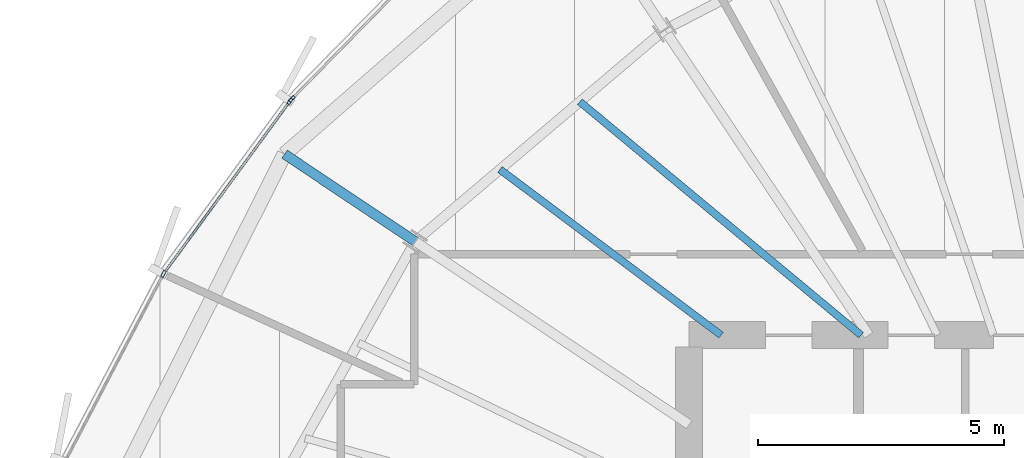
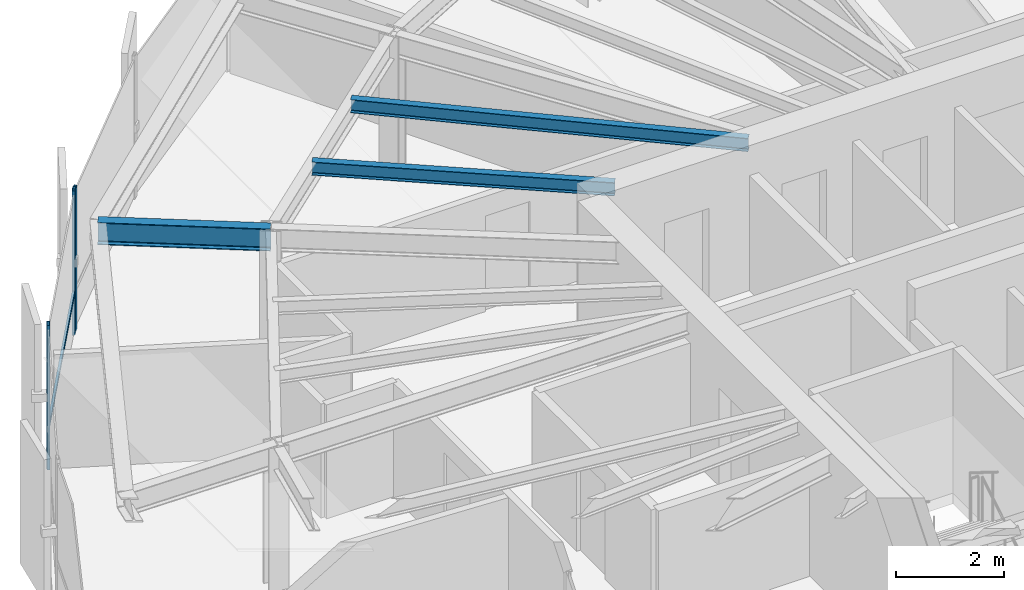
# One storey, part 21 of 37: 4 members, 3 beams, 2 elements without a shape of their own.
"""IFC4 building model written with IfcOpenShell, lengths in metres."""

from ifc_helpers import new_model, si_unit, direction, frame, origin, origin_2d, place, context, subcontext, project, spatial, hollow_rectangle, i_section, extrude, source, transform, mapped, material, layer, layer_set, material_profile, profile_set, type_object, element, aggregate, save


model = new_model("IFC4")

# Units and contexts
model_context = context("Model", 3, precision=1e-05, world=origin(), true_north=direction((0.0, 1.0)))
body_context = subcontext(model_context, "Body", "Model", "MODEL_VIEW")
ifc_project = project(units=[si_unit("LENGTHUNIT", "METRE"), si_unit("AREAUNIT", "SQUARE_METRE"), si_unit("VOLUMEUNIT", "CUBIC_METRE"), si_unit("PLANEANGLEUNIT", "RADIAN"), si_unit("MASSUNIT", "GRAM", prefix="KILO"), si_unit("THERMODYNAMICTEMPERATUREUNIT", "KELVIN")], contexts=[model_context])

# Site, building, storey
site_placement = place(None, origin())
site = spatial("IfcSite", under=ifc_project, at=site_placement, CompositionType="ELEMENT")
building_placement = place(site_placement, origin())
building = spatial("IfcBuilding", under=site, at=building_placement, Name="Kethvar Cultural Tower", CompositionType="ELEMENT")
storey_placement = place(building_placement, frame((0.0, 0.0, 200.89990234375)))
storey = spatial("IfcBuildingStorey", under=building, at=storey_placement, Name="L52", CompositionType="ELEMENT", Elevation=200.89990234375)

# Beams
ifc_material_1 = material(Name="Steel S355J2", Category="steel")
ifc_material_profile_1 = material_profile(ifc_material_1, i_section(OverallWidth=0.199951171875, OverallDepth=0.5, WebThickness=0.01025390625, FlangeThickness=0.01611328125, FilletRadius=0.02099609375, at=origin_2d()), Name="Steel S355J2 — IPE500")
ifc_profile_set_1 = profile_set([ifc_material_profile_1], Name="Steel S355J2 — IPE500")
beam_type_1 = type_object("IfcBeamType", Name="BM-IPE500", PredefinedType="BEAM", material=ifc_profile_set_1)
shared_shape_1 = source(origin(), body_context, "Body", "SweptSolid", [
    extrude(i_section(OverallWidth=0.199951171875, OverallDepth=0.5, WebThickness=0.01025390625, FlangeThickness=0.01611328125, FilletRadius=0.02099609375, at=origin_2d()), origin(), (0.0, 0.0, 1.0), 3.199951171875),
])
beam_1_placement = place(storey_placement, frame((32.418212890625, 37.409423828125, 3.008056640625), z_axis=(-0.831462943996, 0.555580212716, 0.0), x_axis=(-0.555580212716, -0.831462943996, 0.0)))
element("IfcBeam", 1, at=beam_1_placement, inside=storey, type_object=beam_type_1, Name="L52 Perimeter Cantilever Beam RC-07", PredefinedType="BEAM", context=body_context, shape_type="MappedRepresentation", body=[
    mapped(shared_shape_1, transform((0.0, 0.0, 0.0), scale=1.0)),
])
ifc_material_profile_2 = material_profile(ifc_material_1, i_section(OverallWidth=0.14990234375, OverallDepth=0.300048828125, WebThickness=0.007080078125, FlangeThickness=0.0107421875, FilletRadius=0.014892578125, at=origin_2d()), Name="Steel S355J2 — IPE300")
ifc_profile_set_2 = profile_set([ifc_material_profile_2], Name="Steel S355J2 — IPE300")
beam_type_2 = type_object("IfcBeamType", Name="BM-J300", PredefinedType="JOIST", material=ifc_profile_set_2)
shared_shape_2 = source(origin(), body_context, "Body", "SweptSolid", [
    extrude(i_section(OverallWidth=0.14990234375, OverallDepth=0.300048828125, WebThickness=0.007080078125, FlangeThickness=0.0107421875, FilletRadius=0.014892578125, at=origin_2d()), origin(), (0.0, 0.0, 1.0), 7.444580078125),
])
beam_2_placement = place(storey_placement, frame((41.5, 35.5, 3.108154296875), z_axis=(-0.769483166858, 0.638667093188, 0.0), x_axis=(-0.638667093188, -0.769483166858, 0.0)))
element("IfcBeam", 2, at=beam_2_placement, inside=storey, type_object=beam_type_2, Name="L52 Composite Floor Joist J-06A", PredefinedType="JOIST", context=body_context, shape_type="MappedRepresentation", body=[
    mapped(shared_shape_2, transform((0.0, 0.0, 0.0), scale=1.0)),
])
shared_shape_3 = source(origin(), body_context, "Body", "SweptSolid", [
    extrude(i_section(OverallWidth=0.14990234375, OverallDepth=0.300048828125, WebThickness=0.007080078125, FlangeThickness=0.0107421875, FilletRadius=0.014892578125, at=origin_2d()), origin(), (0.0, 0.0, 1.0), 5.628662109375),
])
beam_3_placement = place(storey_placement, frame((38.64990234375, 35.5, 3.108154296875), z_axis=(-0.800260171956, 0.599652947279, 0.0), x_axis=(-0.599652947279, -0.800260171956, 0.0)))
element("IfcBeam", 3, at=beam_3_placement, inside=storey, type_object=beam_type_2, Name="L52 Composite Floor Joist J-06B", PredefinedType="JOIST", context=body_context, shape_type="MappedRepresentation", body=[
    mapped(shared_shape_3, transform((0.0, 0.0, 0.0), scale=1.0)),
])

# Curtain wall, member
ifc_material_2 = material(Name="Aluminium 6063-T6", Category="aluminium")
ifc_layer = layer(ifc_material_2, 0.179931640625, Name="Aluminium 6063-T6", Category="aluminium")
ifc_layer_set = layer_set([ifc_layer], Name="Aluminium 6063-T6 (180 mm)")
curtain_wall_type = type_object("IfcCurtainWallType", Name="CW-SYS-04-Z34", PredefinedType="NOTDEFINED", material=ifc_layer_set)
curtain_wall_1_placement = place(storey_placement, origin())
curtain_wall_1 = element("IfcCurtainWall", 4, at=curtain_wall_1_placement, inside=storey, type_object=curtain_wall_type, Name="L52 Curtain Wall Run 02", PredefinedType="NOTDEFINED")
ifc_material_profile_3 = material_profile(ifc_material_2, hollow_rectangle(XDim=0.06005859375, YDim=0.139892578125, WallThickness=0.0048828125, at=origin_2d()), Name="Aluminium 6063-T6 — RHS140x60x5")
ifc_profile_set_3 = profile_set([ifc_material_profile_3], Name="Aluminium 6063-T6 — RHS140x60x5")
member_type_1 = type_object("IfcMemberType", Name="CW-SYS-04-Z34-MUL", PredefinedType="MULLION", material=ifc_profile_set_3)
shared_shape_4 = source(origin(), body_context, "Body", "SweptSolid", [
    extrude(hollow_rectangle(XDim=0.06005859375, YDim=0.139892578125, WallThickness=0.0048828125, at=origin_2d()), origin(), (0.0, 0.0, 1.0), 3.260009765625),
])
member_1_placement = place(storey_placement, frame((29.90771484375, 40.310791015625, 0.0), z_axis=(0.0, 0.0, 1.0), x_axis=(0.713274915068, -0.700884366735, 0.0)))
member_1 = element("IfcMember", 5, at=member_1_placement, type_object=member_type_1, Name="CW-L52-R02 Mullion 7", PredefinedType="MULLION", context=body_context, shape_type="MappedRepresentation", body=[
    mapped(shared_shape_4, transform((0.0, 0.0, 0.0), scale=1.0)),
])
aggregate(curtain_wall_1, [member_1])

# Curtain wall, members
curtain_wall_2_placement = place(storey_placement, origin())
curtain_wall_2 = element("IfcCurtainWall", 6, at=curtain_wall_2_placement, inside=storey, type_object=curtain_wall_type, Name="L52 Curtain Wall Run 03", PredefinedType="NOTDEFINED")
member_2_placement = place(storey_placement, frame((29.86767578125, 40.263671875, 0.0), z_axis=(0.0, 0.0, 1.0), x_axis=(0.806846909124, -0.590760581993, 0.0)))
member_2 = element("IfcMember", 7, at=member_2_placement, type_object=member_type_1, Name="CW-L52-R03 Mullion 1", PredefinedType="MULLION", context=body_context, shape_type="MappedRepresentation", body=[
    mapped(shared_shape_4, transform((0.0, 0.0, 0.0), scale=1.0)),
])
member_3_placement = place(storey_placement, frame((27.292724609375, 36.7490234375, 0.0), z_axis=(0.0, 0.0, 1.0), x_axis=(0.885555832294, -0.464532956732, 0.0)))
member_3 = element("IfcMember", 8, at=member_3_placement, type_object=member_type_1, Name="CW-L52-R03 Mullion 2", PredefinedType="MULLION", context=body_context, shape_type="MappedRepresentation", body=[
    mapped(shared_shape_4, transform((0.0, 0.0, 0.0), scale=1.0)),
])
ifc_material_profile_4 = material_profile(ifc_material_2, hollow_rectangle(XDim=0.050048828125, YDim=0.10009765625, WallThickness=0.00390625, at=origin_2d()), Name="Aluminium 6063-T6 — RHS100x50x4")
ifc_profile_set_4 = profile_set([ifc_material_profile_4], Name="Aluminium 6063-T6 — RHS100x50x4")
member_type_2 = type_object("IfcMemberType", Name="CW-SYS-04-Z34-TRN", PredefinedType="USERDEFINED", material=ifc_profile_set_4)
shared_shape_5 = source(origin(), body_context, "Body", "SweptSolid", [
    extrude(hollow_rectangle(XDim=0.050048828125, YDim=0.10009765625, WallThickness=0.00390625, at=origin_2d()), origin(), (0.0, 0.0, 1.0), 4.32568359375),
])
member_4_placement = place(storey_placement, frame((29.864990234375, 40.26025390625, 0.9501953125), z_axis=(-0.59071260393, -0.806882035714, 0.0), x_axis=(0.806882035714, -0.59071260393, 0.0)))
member_4 = element("IfcMember", 9, at=member_4_placement, type_object=member_type_2, Name="CW-L52-R03 Transom 1", ObjectType="TRANSOM", PredefinedType="USERDEFINED", context=body_context, shape_type="MappedRepresentation", body=[
    mapped(shared_shape_5, transform((0.0, 0.0, 0.0), scale=1.0)),
])
aggregate(curtain_wall_2, [member_2, member_3, member_4])

save(model, "model.ifc")
